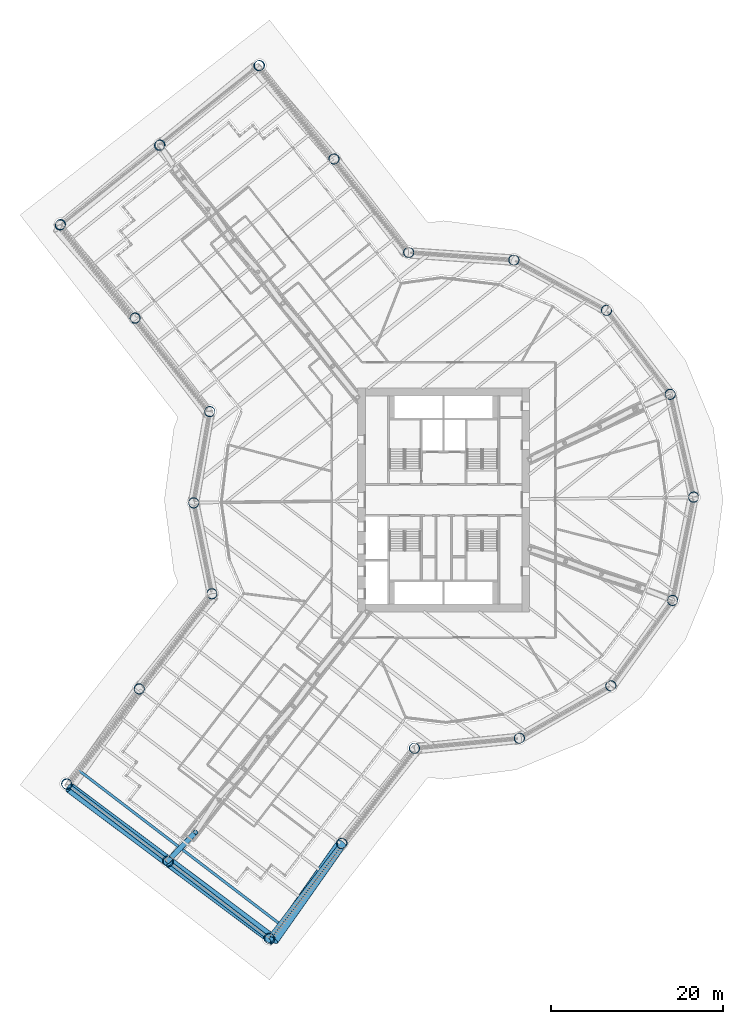
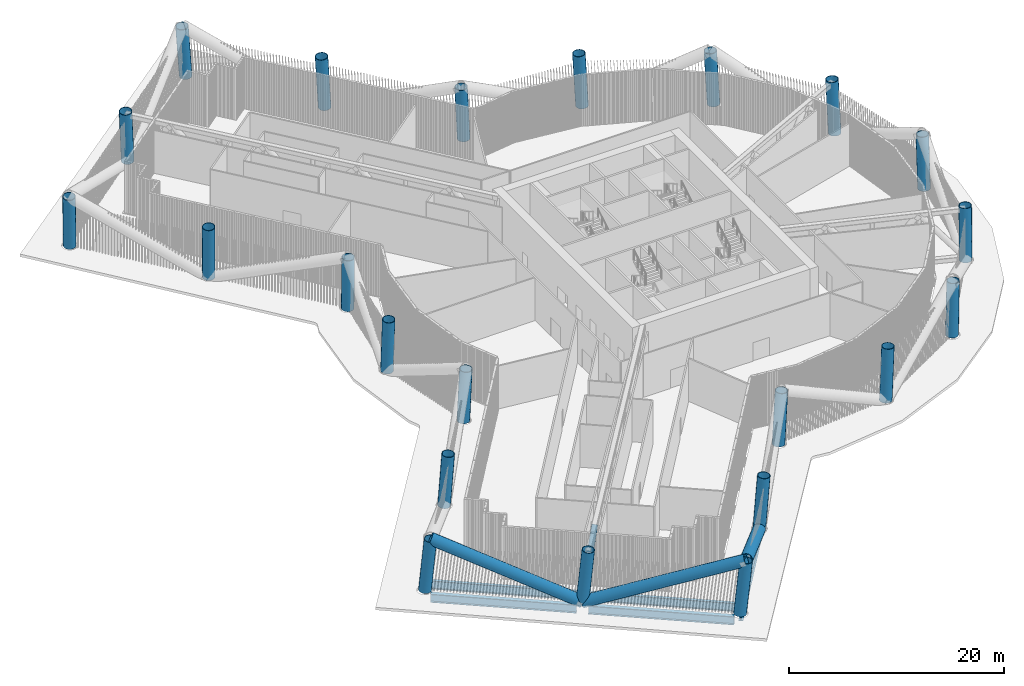
# One storey, part 1 of 48: 22 columns, 4 beams, 4 members.
"""IFC4 building model written with IfcOpenShell, lengths in metres."""

from ifc_helpers import new_model, si_unit, direction, frame, origin, origin_2d, place, context, subcontext, project, spatial, hollow_circle, i_section, extrude, material, material_profile, profile_set, type_object, element, save


model = new_model("IFC4")

# Units and contexts
model_context = context("Model", 3, precision=1e-05, world=origin(), true_north=direction((0.0, 1.0)))
body_context = subcontext(model_context, "Body", "Model", "MODEL_VIEW")
ifc_project = project(units=[si_unit("LENGTHUNIT", "METRE"), si_unit("AREAUNIT", "SQUARE_METRE"), si_unit("VOLUMEUNIT", "CUBIC_METRE"), si_unit("PLANEANGLEUNIT", "RADIAN"), si_unit("MASSUNIT", "GRAM", prefix="KILO")], contexts=[model_context])

# Site, building, storey
site_placement = place(None, origin())
site = spatial("IfcSite", under=ifc_project, at=site_placement, CompositionType="ELEMENT")
building_placement = place(site_placement, origin())
building = spatial("IfcBuilding", under=site, at=building_placement, Name="Tarsis Ring Headquarters", CompositionType="ELEMENT")
storey_placement = place(building_placement, frame((0.0, 0.0, 34.0)))
storey = spatial("IfcBuildingStorey", under=building, at=storey_placement, Name="L06", CompositionType="ELEMENT", Elevation=34.0)

# Columns
ifc_material_1 = material(Name="Structural steel S460", Category="steel")
ifc_material_profile_1 = material_profile(ifc_material_1, hollow_circle(Radius=0.609619140625, WallThickness=0.050048828125, at=origin_2d()), Name="CHS 1219x50")
ifc_profile_set_1 = profile_set([ifc_material_profile_1], Name="Structural steel S460")
column_type = type_object("IfcColumnType", Name="XC Exo column CHS 1219x50", PredefinedType="COLUMN", material=ifc_profile_set_1)
for number, where, z_axis, x_axis, name in (
    (1, (-29.046875, -0.3046875, 0.01123046875), (0.000775116578, -0.050627351209, 0.998717312608), (0.999882818973, 0.015308439614, 0.0), "Exo column XC1 F1"),
    (2, (-26.938720703125, -10.8681640625, 0.01123046875), (0.019173925882, -0.046874129443, 0.998716764931), (0.925559787206, 0.378601479536, 0.0), "Exo column XC1 AK"),
):
    element("IfcColumn", number, at=place(storey_placement, frame(where, z_axis=z_axis, x_axis=x_axis)), inside=storey, type_object=column_type, Name=name, PredefinedType="COLUMN", context=body_context, shape_type="SweptSolid", body=[
        extrude(hollow_circle(Radius=0.609619140625, WallThickness=0.050048828125, at=origin_2d()), origin(), (0.0, 0.0, 1.0), 5.984375),
    ])
column_1_placement = place(storey_placement, frame((-35.38232421875, -21.912841796875, 0.015625), z_axis=(0.038478210481, -0.061369277373, 0.997373169437), x_axis=(0.847237896494, 0.531213654517, 0.0)))
element("IfcColumn", 3, at=column_1_placement, inside=storey, type_object=column_type, Name="Exo column XC1 AI1", PredefinedType="COLUMN", context=body_context, shape_type="SweptSolid", body=[
    extrude(hollow_circle(Radius=0.609619140625, WallThickness=0.050048828125, at=origin_2d()), origin(), (0.0, 0.0, 1.0), 5.983154296875),
])
column_2_placement = place(storey_placement, frame((-43.82568359375, -32.95751953125, 0.0205078125), z_axis=(0.057682443944, -0.075835688325, 0.995450493012), x_axis=(0.795922873986, 0.605398033252, 0.0)))
element("IfcColumn", 4, at=column_2_placement, inside=storey, type_object=column_type, Name="Exo column XC1 AT1", PredefinedType="COLUMN", context=body_context, shape_type="SweptSolid", body=[
    extrude(hollow_circle(Radius=0.609619140625, WallThickness=0.050048828125, at=origin_2d()), origin(), (0.0, 0.0, 1.0), 5.98486328125),
])
column_3_placement = place(storey_placement, frame((-32.068115234375, -41.9462890625, 0.019775390625), z_axis=(0.073190500472, -0.055321247848, 0.995782461272), x_axis=(0.602984053805, 0.797753239327, 0.0)))
element("IfcColumn", 5, at=column_3_placement, inside=storey, type_object=column_type, Name="Exo column XC1 AT2", PredefinedType="COLUMN", context=body_context, shape_type="SweptSolid", body=[
    extrude(hollow_circle(Radius=0.609619140625, WallThickness=0.050048828125, at=origin_2d()), origin(), (0.0, 0.0, 1.0), 5.984130859375),
])
column_4_placement = place(storey_placement, frame((-20.310302734375, -50.93505859375, 0.0205078125), z_axis=(0.088685840438, -0.034797158185, 0.995451645982), x_axis=(0.365254893463, 0.930907547935, 0.0)))
element("IfcColumn", 6, at=column_4_placement, inside=storey, type_object=column_type, Name="Exo column XC1 AT3", PredefinedType="COLUMN", context=body_context, shape_type="SweptSolid", body=[
    extrude(hollow_circle(Radius=0.609619140625, WallThickness=0.050048828125, at=origin_2d()), origin(), (0.0, 0.0, 1.0), 5.984619140625),
])
column_5_placement = place(storey_placement, frame((-11.8671875, -39.890380859375, 0.015625), z_axis=(0.069570671578, -0.020320348649, 0.99737004421), x_axis=(0.280367497358, 0.959892736938, 0.0)))
element("IfcColumn", 7, at=column_5_placement, inside=storey, type_object=column_type, Name="Exo column XC1 AO1", PredefinedType="COLUMN", context=body_context, shape_type="SweptSolid", body=[
    extrude(hollow_circle(Radius=0.609619140625, WallThickness=0.050048828125, at=origin_2d()), origin(), (0.0, 0.0, 1.0), 5.983154296875),
])
for number, where, z_axis, x_axis, name in (
    (8, (-3.423828125, -28.845947265625, 0.01123046875), (0.050301009481, -0.005711387938, 0.998717772192), (0.112819280926, 0.99361552416, 0.0), "Exo column XC1 AJ"),
    (9, (8.770751953125, -27.69287109375, 0.01123046875), (0.048179635496, 0.01554313389, 0.998717744767), (-0.307026324734, 0.951701022339, 0.0), "Exo column XC1 R1"),
    (10, (19.405517578125, -21.61572265625, 0.01123046875), (0.037531913321, 0.034023495337, 0.998716054366), (-0.671629958712, 0.740886765006, 0.0), "Exo column XC1 R2"),
    (11, (26.590087890625, -11.6953125, 0.01123046875), (0.020153015676, 0.046466163675, 0.998716552177), (-0.917428240444, 0.397901273731, 0.0), "Exo column XC1 R3"),
    (12, (29.046875, 0.3046875, 0.01123046875), (-0.000775116578, 0.050627351209, 0.998717312608), (-0.999882818973, -0.015308439614, 0.0), "Exo column XC1 R4"),
    (13, (26.3388671875, 12.25048828125, 0.01123046875), (-0.021580867867, 0.045813449176, 0.998716873802), (-0.904654326081, -0.426146160727, 0.0), "Exo column XC1 R5"),
    (14, (18.94775390625, 22.01806640625, 0.01123046875), (-0.038551831335, 0.032840448915, 0.998716807316), (-0.6484664556, -0.761243230487, 0.0), "Exo column XC1 R6"),
    (15, (8.187744140625, 27.870849609375, 0.01123046875), (-0.048669143492, 0.013992888699, 0.998716933639), (-0.276316725928, -0.96106662983, 0.0), "Exo column XC1 R7"),
    (16, (-4.0283203125, 28.767822265625, 0.01123046875), (-0.050097040554, -0.007261623142, 0.99871795586), (0.143451951433, -0.989657282917, 0.0), "Exo column XC1 BJ"),
):
    element("IfcColumn", number, at=place(storey_placement, frame(where, z_axis=z_axis, x_axis=x_axis)), inside=storey, type_object=column_type, Name=name, PredefinedType="COLUMN", context=body_context, shape_type="SweptSolid", body=[
        extrude(hollow_circle(Radius=0.609619140625, WallThickness=0.050048828125, at=origin_2d()), origin(), (0.0, 0.0, 1.0), 5.984375),
    ])
column_6_placement = place(storey_placement, frame((-12.7021484375, 39.632568359375, 0.015625), z_axis=(-0.068877124552, -0.02248299504, 0.997371774539), x_axis=(0.310308306639, -0.950635973878, 0.0)))
element("IfcColumn", 17, at=column_6_placement, inside=storey, type_object=column_type, Name="Exo column XC1 BO1", PredefinedType="COLUMN", context=body_context, shape_type="SweptSolid", body=[
    extrude(hollow_circle(Radius=0.609619140625, WallThickness=0.050048828125, at=origin_2d()), origin(), (0.0, 0.0, 1.0), 5.983154296875),
])
column_7_placement = place(storey_placement, frame((-21.376220703125, 50.496826171875, 0.0205078125), z_axis=(-0.087543636394, -0.037571150568, 0.995451917659), x_axis=(0.394384376295, -0.918945571693, 0.0)))
element("IfcColumn", 18, at=column_7_placement, inside=storey, type_object=column_type, Name="Exo column XC1 BT3", PredefinedType="COLUMN", context=body_context, shape_type="SweptSolid", body=[
    extrude(hollow_circle(Radius=0.609619140625, WallThickness=0.050048828125, at=origin_2d()), origin(), (0.0, 0.0, 1.0), 5.984619140625),
])
column_8_placement = place(storey_placement, frame((-32.942138671875, 41.26318359375, 0.019775390625), z_axis=(-0.071435892204, -0.057646439569, 0.995777987962), x_axis=(0.627995658317, -0.778216841976, 0.0)))
element("IfcColumn", 19, at=column_8_placement, inside=storey, type_object=column_type, Name="Exo column XC1 BT2", PredefinedType="COLUMN", context=body_context, shape_type="SweptSolid", body=[
    extrude(hollow_circle(Radius=0.609619140625, WallThickness=0.050048828125, at=origin_2d()), origin(), (0.0, 0.0, 1.0), 5.984130859375),
])
column_9_placement = place(storey_placement, frame((-44.508544921875, 32.029296875, 0.0205078125), z_axis=(-0.055234840857, -0.077630651515, 0.995450950223), x_axis=(0.814802509726, -0.579738622264, 0.0)))
element("IfcColumn", 20, at=column_9_placement, inside=storey, type_object=column_type, Name="Exo column XC1 BT1", PredefinedType="COLUMN", context=body_context, shape_type="SweptSolid", body=[
    extrude(hollow_circle(Radius=0.609619140625, WallThickness=0.050048828125, at=origin_2d()), origin(), (0.0, 0.0, 1.0), 5.98486328125),
])
column_10_placement = place(storey_placement, frame((-35.834716796875, 21.1650390625, 0.015625), z_axis=(-0.036478778256, -0.062593339872, 0.997372233692), x_axis=(0.863983107454, -0.503520794044, 0.0)))
element("IfcColumn", 21, at=column_10_placement, inside=storey, type_object=column_type, Name="Exo column XC1 BI1", PredefinedType="COLUMN", context=body_context, shape_type="SweptSolid", body=[
    extrude(hollow_circle(Radius=0.609619140625, WallThickness=0.050048828125, at=origin_2d()), origin(), (0.0, 0.0, 1.0), 5.983154296875),
])
column_11_placement = place(storey_placement, frame((-27.160888671875, 10.300537109375, 0.01123046875), z_axis=(-0.017705287344, -0.04744527461, 0.9987169112), x_axis=(0.936890777982, -0.349622181981, 0.0)))
element("IfcColumn", 22, at=column_11_placement, inside=storey, type_object=column_type, Name="Exo column XC1 BK", PredefinedType="COLUMN", context=body_context, shape_type="SweptSolid", body=[
    extrude(hollow_circle(Radius=0.609619140625, WallThickness=0.050048828125, at=origin_2d()), origin(), (0.0, 0.0, 1.0), 5.984375),
])

# Beam
ifc_material_2 = material(Name="Structural steel S355", Category="steel")
ifc_material_profile_2 = material_profile(ifc_material_2, i_section(OverallWidth=0.309814453125, OverallDepth=0.949951171875, WebThickness=0.0244140625, FlangeThickness=0.0439453125, at=origin_2d()), Name="W36x256")
ifc_profile_set_2 = profile_set([ifc_material_profile_2], Name="Structural steel S355")
beam_type_1 = type_object("IfcBeamType", Name="FB Floor beam W36x256", PredefinedType="JOIST", material=ifc_profile_set_2)
beam_1_placement = place(storey_placement, frame((-42.462158203125, -31.355712890625, -0.77490234375), z_axis=(0.794410671659, -0.607381004605, 0.0), x_axis=(0.607381004605, 0.794410671659, 0.0)))
element("IfcBeam", 23, at=beam_1_placement, inside=storey, type_object=beam_type_1, Name="Floor beam FB11", PredefinedType="JOIST", context=body_context, shape_type="SweptSolid", body=[
    extrude(i_section(OverallWidth=0.309814453125, OverallDepth=0.949951171875, WebThickness=0.0244140625, FlangeThickness=0.0439453125, at=origin_2d()), origin(), (0.0, 0.0, 1.0), 29.375732421875),
])

# Members
ifc_material_profile_3 = material_profile(ifc_material_2, hollow_circle(Radius=0.3046875, WallThickness=0.02490234375, at=origin_2d()), Name="CHS 610x25")
ifc_profile_set_3 = profile_set([ifc_material_profile_3], Name="Structural steel S355")
member_type_1 = type_object("IfcMemberType", Name="OD Outrigger diagonal CHS 610x25", PredefinedType="BRACE", material=ifc_profile_set_3)
member_1_placement = place(storey_placement, frame((-28.81787109375, -38.5986328125, 5.5859375), z_axis=(-0.456400577211, -0.474426366509, -0.75274041733), x_axis=(0.720665033227, -0.693283426806, 0.0)))
element("IfcMember", 24, at=member_1_placement, inside=storey, type_object=member_type_1, Name="Outrigger diagonal OD1", PredefinedType="BRACE", context=body_context, shape_type="SweptSolid", body=[
    extrude(hollow_circle(Radius=0.3046875, WallThickness=0.02490234375, at=origin_2d()), origin(), (0.0, 0.0, 1.0), 7.08349609375),
])
member_type_2 = type_object("IfcMemberType", Name="TD Belt truss diagonal CHS 1219x50", PredefinedType="BRACE", material=ifc_profile_set_1)
member_2_placement = place(storey_placement, frame((-32.0693359375, -41.945068359375, 0.0), z_axis=(-0.738075478982, 0.551910212132, 0.388123311682), x_axis=(-0.598856065178, -0.800856674567, 0.0)))
element("IfcMember", 25, at=member_2_placement, inside=storey, type_object=member_type_2, Name="Belt truss diagonal TD1", PredefinedType="BRACE", context=body_context, shape_type="SweptSolid", body=[
    extrude(hollow_circle(Radius=0.609619140625, WallThickness=0.050048828125, at=origin_2d()), origin(), (0.0, 0.0, 1.0), 15.458984375),
])
member_3_placement = place(storey_placement, frame((-32.0693359375, -41.945068359375, 0.0), z_axis=(0.745690626699, -0.558079385346, 0.363995726493), x_axis=(0.599182966597, 0.800612123653, 0.0)))
element("IfcMember", 26, at=member_3_placement, inside=storey, type_object=member_type_2, Name="Belt truss diagonal TD1", PredefinedType="BRACE", context=body_context, shape_type="SweptSolid", body=[
    extrude(hollow_circle(Radius=0.609619140625, WallThickness=0.050048828125, at=origin_2d()), origin(), (0.0, 0.0, 1.0), 16.483642578125),
])
member_4_placement = place(storey_placement, frame((-11.8681640625, -39.89013671875, 0.0), z_axis=(-0.527043305515, -0.749918673159, 0.399809126658), x_axis=(0.818154010937, -0.574999142945, 0.0)))
element("IfcMember", 27, at=member_4_placement, inside=storey, type_object=member_type_2, Name="Belt truss diagonal TD1", PredefinedType="BRACE", context=body_context, shape_type="SweptSolid", body=[
    extrude(hollow_circle(Radius=0.609619140625, WallThickness=0.050048828125, at=origin_2d()), origin(), (0.0, 0.0, 1.0), 15.007080078125),
])

# Beams
ifc_material_profile_4 = material_profile(ifc_material_2, i_section(OverallWidth=0.42431640625, OverallDepth=0.947509765625, WebThickness=0.02392578125, FlangeThickness=0.042724609375, at=origin_2d()), Name="W36x302")
ifc_profile_set_4 = profile_set([ifc_material_profile_4], Name="Structural steel S355")
beam_type_2 = type_object("IfcBeamType", Name="XG Ring girder W36x302", PredefinedType="BEAM", material=ifc_profile_set_4)
for number, where, z_axis, x_axis, name in (
    (28, (-43.390869140625, -33.2890625, -0.773681640625), (0.794408908312, -0.607383310928, 0.0), (0.607383310928, 0.794408908312, 0.0), "Ring girder XG1"),
    (29, (-31.633544921875, -42.2783203125, -0.773681640625), (0.794408908312, -0.607383310928, 0.0), (0.607383310928, 0.794408908312, 0.0), "Ring girder XG1"),
):
    element("IfcBeam", number, at=place(storey_placement, frame(where, z_axis=z_axis, x_axis=x_axis)), inside=storey, type_object=beam_type_2, Name=name, PredefinedType="BEAM", context=body_context, shape_type="SweptSolid", body=[
        extrude(i_section(OverallWidth=0.42431640625, OverallDepth=0.947509765625, WebThickness=0.02392578125, FlangeThickness=0.042724609375, at=origin_2d()), origin(), (0.0, 0.0, 1.0), 13.70263671875),
    ])
beam_2_placement = place(storey_placement, frame((-19.978759765625, -50.498291015625, -0.773681640625), z_axis=(0.607375088665, 0.794415194762, 0.0), x_axis=(-0.794415194762, 0.607375088665, 0.0)))
element("IfcBeam", 30, at=beam_2_placement, inside=storey, type_object=beam_type_2, Name="Ring girder XG1", PredefinedType="BEAM", context=body_context, shape_type="SweptSolid", body=[
    extrude(i_section(OverallWidth=0.42431640625, OverallDepth=0.947509765625, WebThickness=0.02392578125, FlangeThickness=0.042724609375, at=origin_2d()), origin(), (0.0, 0.0, 1.0), 12.804931640625),
])

save(model, "model.ifc")
